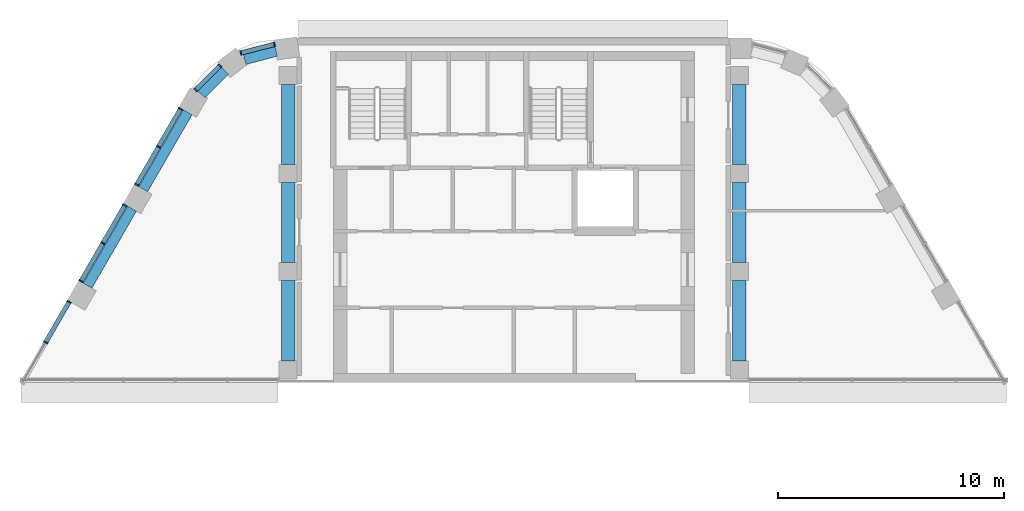
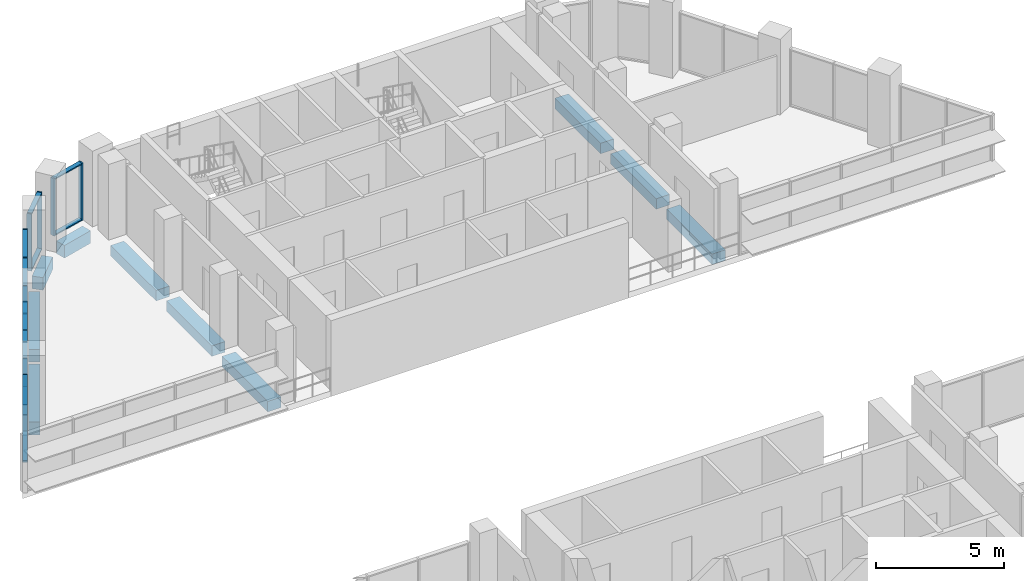
# One storey, part 5 of 14: 26 members, 10 beams, 5 elements without a shape of their own.
"""IFC4 building model written with IfcOpenShell, lengths in metres."""

from ifc_helpers import new_model, si_unit, direction, frame, origin, origin_2d, place, context, subcontext, project, spatial, rectangle, extrude, material, layer, layer_set, material_profile, profile_set, type_object, element, aggregate, save


model = new_model("IFC4")

# Units and contexts
model_context = context("Model", 3, precision=1e-05, world=origin(), true_north=direction((0.0, 1.0)))
body_context = subcontext(model_context, "Body", "Model", "MODEL_VIEW")
ifc_project = project(units=[si_unit("LENGTHUNIT", "METRE"), si_unit("AREAUNIT", "SQUARE_METRE"), si_unit("VOLUMEUNIT", "CUBIC_METRE"), si_unit("PLANEANGLEUNIT", "RADIAN"), si_unit("MASSUNIT", "GRAM", prefix="KILO")], contexts=[model_context])

# Site, building, storey
site_placement = place(None, origin())
site = spatial("IfcSite", under=ifc_project, at=site_placement, CompositionType="ELEMENT")
building_placement = place(site_placement, origin())
building = spatial("IfcBuilding", under=site, at=building_placement, Name="Nakaniwa Court", CompositionType="ELEMENT")
storey_placement = place(building_placement, frame((0.0, 0.0, 279.60009765625)))
storey = spatial("IfcBuildingStorey", under=building, at=storey_placement, Name="C03", CompositionType="ELEMENT", Elevation=279.60009765625)

# Beams
ifc_material_1 = material(Name="Concrete C80/100", Category="concrete")
ifc_material_profile_1 = material_profile(ifc_material_1, rectangle(XDim=0.449951171875, YDim=0.60009765625, at=origin_2d()), Name="Concrete C80/100 RC 450x600 spandrel beam")
ifc_profile_set_1 = profile_set([ifc_material_profile_1], Name="Concrete C80/100")
beam_type_1 = type_object("IfcBeamType", Name="Concrete C80/100 RC 450x600 spandrel beam", PredefinedType="BEAM", material=ifc_profile_set_1)
beam_1_placement = place(storey_placement, frame((69.467529296875, 102.0703125, -0.5751953125), z_axis=(-0.966341744737, -0.257261797354, 0.0), x_axis=(0.257261797354, -0.966341744737, 0.0)))
element("IfcBeam", 1, at=beam_1_placement, inside=storey, type_object=beam_type_1, Name="SPANDREL BEAM", PredefinedType="BEAM", context=body_context, shape_type="SweptSolid", body=[
    extrude(rectangle(XDim=0.449951171875, YDim=0.60009765625, at=origin_2d()), origin(), (0.0, 0.0, 1.0), 1.440673828125),
])
beam_2_placement = place(storey_placement, frame((67.196044921875, 101.202880859375, -0.5751953125), z_axis=(-0.706105687672, -0.708106459396, 0.0), x_axis=(0.708106459396, -0.706105687672, 0.0)))
element("IfcBeam", 2, at=beam_2_placement, inside=storey, type_object=beam_type_1, Name="SPANDREL BEAM", PredefinedType="BEAM", context=body_context, shape_type="SweptSolid", body=[
    extrude(rectangle(XDim=0.449951171875, YDim=0.60009765625, at=origin_2d()), origin(), (0.0, 0.0, 1.0), 1.46435546875),
])
for number, where, z_axis, x_axis, name in (
    (3, (65.546875, 99.366455078125, -0.5751953125), (-0.499974795965, -0.866039954852, 0.0), (0.866039954852, -0.499974795965, 0.0), "SPANDREL BEAM"),
    (4, (63.078857421875, 95.091552734375, -0.5751953125), (-0.500021313302, -0.866013098194, 0.0), (0.866013098194, -0.500021313302, 0.0), "SPANDREL BEAM"),
):
    element("IfcBeam", number, at=place(storey_placement, frame(where, z_axis=z_axis, x_axis=x_axis)), inside=storey, type_object=beam_type_1, Name=name, PredefinedType="BEAM", context=body_context, shape_type="SweptSolid", body=[
        extrude(rectangle(XDim=0.449951171875, YDim=0.60009765625, at=origin_2d()), origin(), (0.0, 0.0, 1.0), 3.936279296875),
    ])
ifc_material_profile_2 = material_profile(ifc_material_1, rectangle(XDim=0.60009765625, YDim=0.5, at=origin_2d()), Name="Concrete C80/100 RC 600x500 ring beam")
ifc_profile_set_2 = profile_set([ifc_material_profile_2], Name="Concrete C80/100")
beam_type_2 = type_object("IfcBeamType", Name="Concrete C80/100 RC 600x500 ring beam", PredefinedType="BEAM", material=ifc_profile_set_2)
beam_3_placement = place(storey_placement, frame((90.0, 88.35009765625, -0.525146484375), z_axis=(0.0, 1.0, 0.0), x_axis=(-1.0, 0.0, 0.0)))
element("IfcBeam", 5, at=beam_3_placement, inside=storey, type_object=beam_type_2, Name="RING BEAM", PredefinedType="BEAM", context=body_context, shape_type="SweptSolid", body=[
    extrude(rectangle(XDim=0.60009765625, YDim=0.5, at=origin_2d()), origin(), (0.0, 0.0, 1.0), 3.5498046875),
])
for number, where, z_axis, x_axis, name in (
    (6, (90.0, 92.699951171875, -0.525146484375), (0.0, 1.0, 0.0), (-1.0, 0.0, 0.0), "RING BEAM"),
    (7, (90.0, 97.050048828125, -0.525146484375), (0.0, 1.0, 0.0), (-1.0, 0.0, 0.0), "RING BEAM"),
    (8, (70.0, 100.60009765625, -0.525146484375), (0.0, -1.0, 0.0), (1.0, 0.0, 0.0), "RING BEAM"),
    (9, (70.0, 96.25, -0.525146484375), (0.0, -1.0, 0.0), (1.0, 0.0, 0.0), "RING BEAM"),
):
    element("IfcBeam", number, at=place(storey_placement, frame(where, z_axis=z_axis, x_axis=x_axis)), inside=storey, type_object=beam_type_2, Name=name, PredefinedType="BEAM", context=body_context, shape_type="SweptSolid", body=[
        extrude(rectangle(XDim=0.60009765625, YDim=0.5, at=origin_2d()), origin(), (0.0, 0.0, 1.0), 3.550048828125),
    ])
beam_4_placement = place(storey_placement, frame((70.0, 91.89990234375, -0.525146484375), z_axis=(0.0, -1.0, 0.0), x_axis=(1.0, 0.0, 0.0)))
element("IfcBeam", 10, at=beam_4_placement, inside=storey, type_object=beam_type_2, Name="RING BEAM", PredefinedType="BEAM", context=body_context, shape_type="SweptSolid", body=[
    extrude(rectangle(XDim=0.60009765625, YDim=0.5, at=origin_2d()), origin(), (0.0, 0.0, 1.0), 3.5498046875),
])

# Curtain wall, members
ifc_material_2 = material(Name="Black anodised aluminium frame with dark low-E laminated double glazing", Category="aluminium")
ifc_layer = layer(ifc_material_2, 0.199951171875)
ifc_layer_set = layer_set([ifc_layer], Name="Black anodised aluminium frame with dark low-E laminated double glazing")
curtain_wall_type = type_object("IfcCurtainWallType", Name="Crown curtain wall", PredefinedType="NOTDEFINED", material=ifc_layer_set)
curtain_wall_1_placement = place(storey_placement, origin())
curtain_wall_1 = element("IfcCurtainWall", 11, at=curtain_wall_1_placement, inside=storey, type_object=curtain_wall_type, Name="C03 curtain wall CW4 13", PredefinedType="NOTDEFINED")
ifc_material_3 = material(Name="Black anodised aluminium extrusion", Category="aluminium")
ifc_material_profile_3 = material_profile(ifc_material_3, rectangle(XDim=0.199951171875, YDim=0.06494140625, at=origin_2d()), Name="Crown curtain wall mullion 65x200")
ifc_profile_set_3 = profile_set([ifc_material_profile_3], Name="Black anodised aluminium extrusion")
member_type_1 = type_object("IfcMemberType", Name="Crown curtain wall mullion 65x200", PredefinedType="MULLION", material=ifc_profile_set_3)
member_1_placement = place(storey_placement, frame((65.2294921875, 99.516845703125, 0.0), z_axis=(0.0, 0.0, 1.0), x_axis=(0.866033174523, -0.499986540445, 0.0)))
member_1 = element("IfcMember", 12, at=member_1_placement, type_object=member_type_1, Name="CW4 mullion 1", PredefinedType="MULLION", context=body_context, shape_type="SweptSolid", body=[
    extrude(rectangle(XDim=0.199951171875, YDim=0.06494140625, at=origin_2d()), origin(), (0.0, 0.0, 1.0), 2.724853515625),
])
member_2_placement = place(storey_placement, frame((64.259765625, 97.837158203125, 0.0), z_axis=(0.0, 0.0, 1.0), x_axis=(0.866033174523, -0.499986540445, 0.0)))
member_2 = element("IfcMember", 13, at=member_2_placement, type_object=member_type_1, Name="CW4 mullion 2", PredefinedType="MULLION", context=body_context, shape_type="SweptSolid", body=[
    extrude(rectangle(XDim=0.199951171875, YDim=0.06494140625, at=origin_2d()), origin(), (0.0, 0.0, 1.0), 2.724853515625),
])
member_3_placement = place(storey_placement, frame((63.2900390625, 96.1572265625, 0.0), z_axis=(0.0, 0.0, 1.0), x_axis=(0.866033174523, -0.499986540445, 0.0)))
member_3 = element("IfcMember", 14, at=member_3_placement, type_object=member_type_1, Name="CW4 mullion 3", PredefinedType="MULLION", context=body_context, shape_type="SweptSolid", body=[
    extrude(rectangle(XDim=0.199951171875, YDim=0.06494140625, at=origin_2d()), origin(), (0.0, 0.0, 1.0), 2.724853515625),
])

curtain_wall_2_placement = place(storey_placement, origin())
curtain_wall_2 = element("IfcCurtainWall", 15, at=curtain_wall_2_placement, inside=storey, type_object=curtain_wall_type, Name="C03 curtain wall CW4 14", PredefinedType="NOTDEFINED")
member_4_placement = place(storey_placement, frame((62.761474609375, 95.241943359375, 0.0), z_axis=(0.0, 0.0, 1.0), x_axis=(0.866033174523, -0.499986540445, 0.0)))
member_4 = element("IfcMember", 16, at=member_4_placement, type_object=member_type_1, Name="CW4 mullion 1", PredefinedType="MULLION", context=body_context, shape_type="SweptSolid", body=[
    extrude(rectangle(XDim=0.199951171875, YDim=0.06494140625, at=origin_2d()), origin(), (0.0, 0.0, 1.0), 2.724853515625),
])
member_5_placement = place(storey_placement, frame((61.791748046875, 93.562255859375, 0.0), z_axis=(0.0, 0.0, 1.0), x_axis=(0.866033174523, -0.499986540445, 0.0)))
member_5 = element("IfcMember", 17, at=member_5_placement, type_object=member_type_1, Name="CW4 mullion 2", PredefinedType="MULLION", context=body_context, shape_type="SweptSolid", body=[
    extrude(rectangle(XDim=0.199951171875, YDim=0.06494140625, at=origin_2d()), origin(), (0.0, 0.0, 1.0), 2.724853515625),
])
member_6_placement = place(storey_placement, frame((60.82177734375, 91.88232421875, 0.0), z_axis=(0.0, 0.0, 1.0), x_axis=(0.866033174523, -0.499986540445, 0.0)))
member_6 = element("IfcMember", 18, at=member_6_placement, type_object=member_type_1, Name="CW4 mullion 3", PredefinedType="MULLION", context=body_context, shape_type="SweptSolid", body=[
    extrude(rectangle(XDim=0.199951171875, YDim=0.06494140625, at=origin_2d()), origin(), (0.0, 0.0, 1.0), 2.724853515625),
])

curtain_wall_3_placement = place(storey_placement, origin())
curtain_wall_3 = element("IfcCurtainWall", 19, at=curtain_wall_3_placement, inside=storey, type_object=curtain_wall_type, Name="C03 curtain wall CW4 15", PredefinedType="NOTDEFINED")
member_7_placement = place(storey_placement, frame((60.29345703125, 90.967041015625, 0.0), z_axis=(0.0, 0.0, 1.0), x_axis=(0.866021000852, -0.500007626024, 0.0)))
member_7 = element("IfcMember", 20, at=member_7_placement, type_object=member_type_1, Name="CW4 mullion 1", PredefinedType="MULLION", context=body_context, shape_type="SweptSolid", body=[
    extrude(rectangle(XDim=0.199951171875, YDim=0.06494140625, at=origin_2d()), origin(), (0.0, 0.0, 1.0), 2.724853515625),
])
member_8_placement = place(storey_placement, frame((59.25732421875, 89.172607421875, 0.0), z_axis=(0.0, 0.0, 1.0), x_axis=(0.866021000852, -0.500007626024, 0.0)))
member_8 = element("IfcMember", 21, at=member_8_placement, type_object=member_type_1, Name="CW4 mullion 2", PredefinedType="MULLION", context=body_context, shape_type="SweptSolid", body=[
    extrude(rectangle(XDim=0.199951171875, YDim=0.06494140625, at=origin_2d()), origin(), (0.0, 0.0, 1.0), 2.724853515625),
])

curtain_wall_4_placement = place(storey_placement, origin())
curtain_wall_4 = element("IfcCurtainWall", 22, at=curtain_wall_4_placement, inside=storey, type_object=curtain_wall_type, Name="C03 curtain wall CW4 24", PredefinedType="NOTDEFINED")
member_9_placement = place(storey_placement, frame((69.392822265625, 102.37353515625, 0.0), z_axis=(0.0, 0.0, 1.0), x_axis=(0.248053150669, -0.968746424222, 0.0)))
member_9 = element("IfcMember", 23, at=member_9_placement, type_object=member_type_1, Name="CW4 mullion 1", PredefinedType="MULLION", context=body_context, shape_type="SweptSolid", body=[
    extrude(rectangle(XDim=0.199951171875, YDim=0.06494140625, at=origin_2d()), origin(), (0.0, 0.0, 1.0), 2.724853515625),
])
member_10_placement = place(storey_placement, frame((67.90771484375, 101.993408203125, 0.0), z_axis=(0.0, 0.0, 1.0), x_axis=(0.248053150669, -0.968746424222, 0.0)))
member_10 = element("IfcMember", 24, at=member_10_placement, type_object=member_type_1, Name="CW4 mullion 2", PredefinedType="MULLION", context=body_context, shape_type="SweptSolid", body=[
    extrude(rectangle(XDim=0.199951171875, YDim=0.06494140625, at=origin_2d()), origin(), (0.0, 0.0, 1.0), 2.724853515625),
])

curtain_wall_5_placement = place(storey_placement, origin())
curtain_wall_5 = element("IfcCurtainWall", 25, at=curtain_wall_5_placement, inside=storey, type_object=curtain_wall_type, Name="C03 curtain wall CW4 25", PredefinedType="NOTDEFINED")
member_11_placement = place(storey_placement, frame((66.98095703125, 101.426025390625, 0.0), z_axis=(0.0, 0.0, 1.0), x_axis=(0.705647329126, -0.708563227169, 0.0)))
member_11 = element("IfcMember", 26, at=member_11_placement, type_object=member_type_1, Name="CW4 mullion 1", PredefinedType="MULLION", context=body_context, shape_type="SweptSolid", body=[
    extrude(rectangle(XDim=0.199951171875, YDim=0.06494140625, at=origin_2d()), origin(), (0.0, 0.0, 1.0), 2.724853515625),
])
member_12_placement = place(storey_placement, frame((65.9091796875, 100.358642578125, 0.0), z_axis=(0.0, 0.0, 1.0), x_axis=(0.705647329126, -0.708563227169, 0.0)))
member_12 = element("IfcMember", 27, at=member_12_placement, type_object=member_type_1, Name="CW4 mullion 2", PredefinedType="MULLION", context=body_context, shape_type="SweptSolid", body=[
    extrude(rectangle(XDim=0.199951171875, YDim=0.06494140625, at=origin_2d()), origin(), (0.0, 0.0, 1.0), 2.724853515625),
])

# Member
ifc_material_profile_4 = material_profile(ifc_material_3, rectangle(XDim=0.199951171875, YDim=0.054931640625, at=origin_2d()), Name="Crown curtain wall transom 55x200")
ifc_profile_set_4 = profile_set([ifc_material_profile_4], Name="Black anodised aluminium extrusion")
member_type_2 = type_object("IfcMemberType", Name="Crown curtain wall transom 55x200", PredefinedType="USERDEFINED", material=ifc_profile_set_4)
member_13_placement = place(storey_placement, frame((65.21337890625, 99.48876953125, 0.02734375), z_axis=(-0.500060622324, -0.86599040064, 0.0), x_axis=(0.86599040064, -0.500060622324, 0.0)))
member_13 = element("IfcMember", 28, at=member_13_placement, type_object=member_type_2, Name="CW4 transom 1.1", ObjectType="TRANSOM", PredefinedType="USERDEFINED", context=body_context, shape_type="SweptSolid", body=[
    extrude(rectangle(XDim=0.199951171875, YDim=0.054931640625, at=origin_2d()), origin(), (0.0, 0.0, 1.0), 1.874755859375),
])

member_14_placement = place(storey_placement, frame((65.21337890625, 99.48876953125, 2.697509765625), z_axis=(-0.500060622324, -0.86599040064, 0.0), x_axis=(0.86599040064, -0.500060622324, 0.0)))
member_14 = element("IfcMember", 29, at=member_14_placement, type_object=member_type_2, Name="CW4 transom 1.2", ObjectType="TRANSOM", PredefinedType="USERDEFINED", context=body_context, shape_type="SweptSolid", body=[
    extrude(rectangle(XDim=0.199951171875, YDim=0.054931640625, at=origin_2d()), origin(), (0.0, 0.0, 1.0), 1.874755859375),
])

member_15_placement = place(storey_placement, frame((64.243408203125, 97.808837890625, 0.02734375), z_axis=(-0.499962952589, -0.86604679206, 0.0), x_axis=(0.86604679206, -0.499962952589, 0.0)))
member_15 = element("IfcMember", 30, at=member_15_placement, type_object=member_type_2, Name="CW4 transom 2.1", ObjectType="TRANSOM", PredefinedType="USERDEFINED", context=body_context, shape_type="SweptSolid", body=[
    extrude(rectangle(XDim=0.199951171875, YDim=0.054931640625, at=origin_2d()), origin(), (0.0, 0.0, 1.0), 1.874755859375),
])

member_16_placement = place(storey_placement, frame((64.243408203125, 97.808837890625, 2.697509765625), z_axis=(-0.499962952589, -0.86604679206, 0.0), x_axis=(0.86604679206, -0.499962952589, 0.0)))
member_16 = element("IfcMember", 31, at=member_16_placement, type_object=member_type_2, Name="CW4 transom 2.2", ObjectType="TRANSOM", PredefinedType="USERDEFINED", context=body_context, shape_type="SweptSolid", body=[
    extrude(rectangle(XDim=0.199951171875, YDim=0.054931640625, at=origin_2d()), origin(), (0.0, 0.0, 1.0), 1.874755859375),
])

aggregate(curtain_wall_1, [member_1, member_2, member_3, member_13, member_14, member_15, member_16])

member_17_placement = place(storey_placement, frame((62.7451171875, 95.2138671875, 0.02734375), z_axis=(-0.499962952589, -0.86604679206, 0.0), x_axis=(0.86604679206, -0.499962952589, 0.0)))
member_17 = element("IfcMember", 32, at=member_17_placement, type_object=member_type_2, Name="CW4 transom 1.1", ObjectType="TRANSOM", PredefinedType="USERDEFINED", context=body_context, shape_type="SweptSolid", body=[
    extrude(rectangle(XDim=0.199951171875, YDim=0.054931640625, at=origin_2d()), origin(), (0.0, 0.0, 1.0), 1.874755859375),
])

member_18_placement = place(storey_placement, frame((62.7451171875, 95.2138671875, 2.697509765625), z_axis=(-0.499962952589, -0.86604679206, 0.0), x_axis=(0.86604679206, -0.499962952589, 0.0)))
member_18 = element("IfcMember", 33, at=member_18_placement, type_object=member_type_2, Name="CW4 transom 1.2", ObjectType="TRANSOM", PredefinedType="USERDEFINED", context=body_context, shape_type="SweptSolid", body=[
    extrude(rectangle(XDim=0.199951171875, YDim=0.054931640625, at=origin_2d()), origin(), (0.0, 0.0, 1.0), 1.874755859375),
])

member_19_placement = place(storey_placement, frame((61.775390625, 93.533935546875, 0.02734375), z_axis=(-0.499962952589, -0.86604679206, 0.0), x_axis=(0.86604679206, -0.499962952589, 0.0)))
member_19 = element("IfcMember", 34, at=member_19_placement, type_object=member_type_2, Name="CW4 transom 2.1", ObjectType="TRANSOM", PredefinedType="USERDEFINED", context=body_context, shape_type="SweptSolid", body=[
    extrude(rectangle(XDim=0.199951171875, YDim=0.054931640625, at=origin_2d()), origin(), (0.0, 0.0, 1.0), 1.874755859375),
])

member_20_placement = place(storey_placement, frame((61.775390625, 93.533935546875, 2.697509765625), z_axis=(-0.499962952589, -0.86604679206, 0.0), x_axis=(0.86604679206, -0.499962952589, 0.0)))
member_20 = element("IfcMember", 35, at=member_20_placement, type_object=member_type_2, Name="CW4 transom 2.2", ObjectType="TRANSOM", PredefinedType="USERDEFINED", context=body_context, shape_type="SweptSolid", body=[
    extrude(rectangle(XDim=0.199951171875, YDim=0.054931640625, at=origin_2d()), origin(), (0.0, 0.0, 1.0), 1.874755859375),
])

aggregate(curtain_wall_2, [member_4, member_5, member_6, member_17, member_18, member_19, member_20])

member_21_placement = place(storey_placement, frame((60.277099609375, 90.93896484375, 0.02734375), z_axis=(-0.500024272756, -0.866011389449, 0.0), x_axis=(0.866011389449, -0.500024272756, 0.0)))
member_21 = element("IfcMember", 36, at=member_21_placement, type_object=member_type_2, Name="CW4 transom 1.1", ObjectType="TRANSOM", PredefinedType="USERDEFINED", context=body_context, shape_type="SweptSolid", body=[
    extrude(rectangle(XDim=0.199951171875, YDim=0.054931640625, at=origin_2d()), origin(), (0.0, 0.0, 1.0), 2.00732421875),
])

member_22_placement = place(storey_placement, frame((60.277099609375, 90.93896484375, 2.697509765625), z_axis=(-0.500024272756, -0.866011389449, 0.0), x_axis=(0.866011389449, -0.500024272756, 0.0)))
member_22 = element("IfcMember", 37, at=member_22_placement, type_object=member_type_2, Name="CW4 transom 1.2", ObjectType="TRANSOM", PredefinedType="USERDEFINED", context=body_context, shape_type="SweptSolid", body=[
    extrude(rectangle(XDim=0.199951171875, YDim=0.054931640625, at=origin_2d()), origin(), (0.0, 0.0, 1.0), 2.00732421875),
])

aggregate(curtain_wall_3, [member_7, member_8, member_21, member_22])

member_23_placement = place(storey_placement, frame((69.361328125, 102.365478515625, 0.02734375), z_axis=(-0.96876740612, -0.247971193567, 0.0), x_axis=(0.247971193567, -0.96876740612, 0.0)))
member_23 = element("IfcMember", 38, at=member_23_placement, type_object=member_type_2, Name="CW4 transom 1.1", ObjectType="TRANSOM", PredefinedType="USERDEFINED", context=body_context, shape_type="SweptSolid", body=[
    extrude(rectangle(XDim=0.199951171875, YDim=0.054931640625, at=origin_2d()), origin(), (0.0, 0.0, 1.0), 1.468017578125),
])

member_24_placement = place(storey_placement, frame((69.361328125, 102.365478515625, 2.697509765625), z_axis=(-0.96876740612, -0.247971193567, 0.0), x_axis=(0.247971193567, -0.96876740612, 0.0)))
member_24 = element("IfcMember", 39, at=member_24_placement, type_object=member_type_2, Name="CW4 transom 1.2", ObjectType="TRANSOM", PredefinedType="USERDEFINED", context=body_context, shape_type="SweptSolid", body=[
    extrude(rectangle(XDim=0.199951171875, YDim=0.054931640625, at=origin_2d()), origin(), (0.0, 0.0, 1.0), 1.468017578125),
])

aggregate(curtain_wall_4, [member_9, member_10, member_23, member_24])

member_25_placement = place(storey_placement, frame((66.9580078125, 101.403076171875, 0.02734375), z_axis=(-0.708538934428, -0.705671721411, 0.0), x_axis=(0.705671721411, -0.708538934428, 0.0)))
member_25 = element("IfcMember", 40, at=member_25_placement, type_object=member_type_2, Name="CW4 transom 1.1", ObjectType="TRANSOM", PredefinedType="USERDEFINED", context=body_context, shape_type="SweptSolid", body=[
    extrude(rectangle(XDim=0.199951171875, YDim=0.054931640625, at=origin_2d()), origin(), (0.0, 0.0, 1.0), 1.447509765625),
])

member_26_placement = place(storey_placement, frame((66.9580078125, 101.403076171875, 2.697509765625), z_axis=(-0.708538934428, -0.705671721411, 0.0), x_axis=(0.705671721411, -0.708538934428, 0.0)))
member_26 = element("IfcMember", 41, at=member_26_placement, type_object=member_type_2, Name="CW4 transom 1.2", ObjectType="TRANSOM", PredefinedType="USERDEFINED", context=body_context, shape_type="SweptSolid", body=[
    extrude(rectangle(XDim=0.199951171875, YDim=0.054931640625, at=origin_2d()), origin(), (0.0, 0.0, 1.0), 1.447509765625),
])

aggregate(curtain_wall_5, [member_11, member_12, member_25, member_26])

save(model, "model.ifc")
